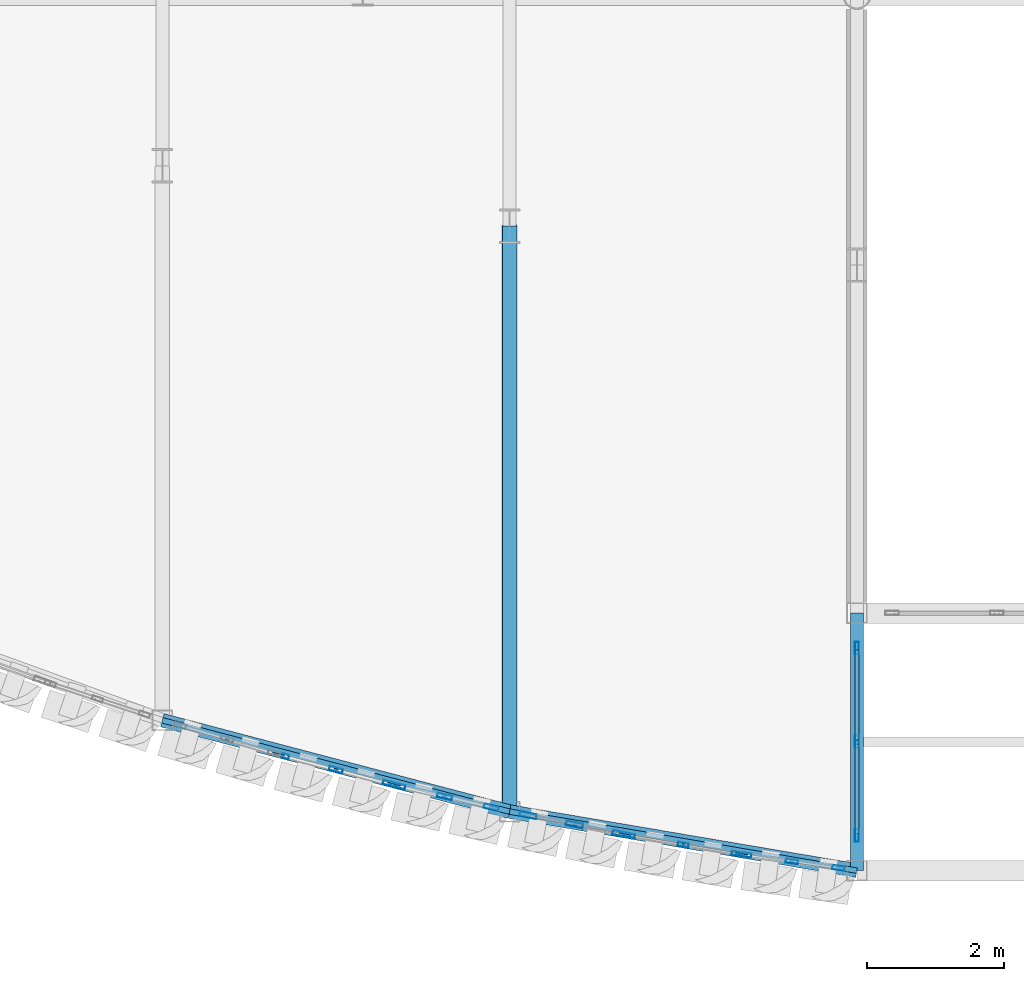
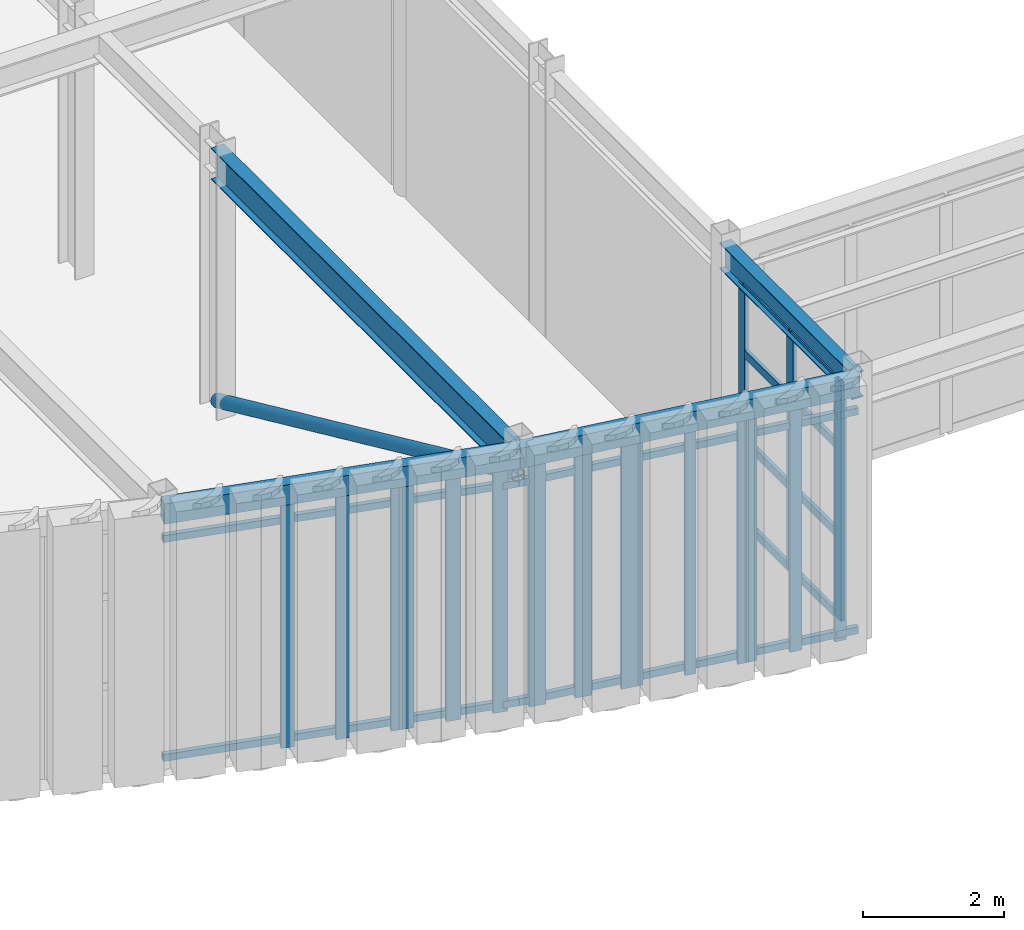
# One storey, part 40 of 121: 31 members, 4 beams, 6 elements without a shape of their own.
"""IFC4 building model written with IfcOpenShell, lengths in metres."""

from ifc_helpers import new_model, si_unit, direction, frame, origin, origin_2d, place, context, subcontext, project, spatial, hollow_rectangle, hollow_circle, i_section, extrude, material, layer, layer_set, material_profile, profile_set, type_object, element, aggregate, save


model = new_model("IFC4")

# Units and contexts
model_context = context("Model", 3, precision=1e-05, world=origin(), true_north=direction((0.0, 1.0)))
body_context = subcontext(model_context, "Body", "Model", "MODEL_VIEW")
ifc_project = project(units=[si_unit("LENGTHUNIT", "METRE"), si_unit("AREAUNIT", "SQUARE_METRE"), si_unit("VOLUMEUNIT", "CUBIC_METRE"), si_unit("PLANEANGLEUNIT", "RADIAN"), si_unit("MASSUNIT", "GRAM", prefix="KILO")], contexts=[model_context])

# Site, building, storey
site_placement = place(None, origin())
site = spatial("IfcSite", under=ifc_project, at=site_placement, CompositionType="ELEMENT")
building_placement = place(site_placement, origin())
building = spatial("IfcBuilding", under=site, at=building_placement, Name="Solvadek Multi-Sports Hall", CompositionType="ELEMENT")
storey_placement = place(building_placement, frame((0.0, 0.0, 4.800048828125)))
storey = spatial("IfcBuildingStorey", under=building, at=storey_placement, Name="L01", CompositionType="ELEMENT", Elevation=4.800048828125)

# Curtain wall, members
ifc_material_1 = material(Name="Anodised aluminium", Category="aluminium")
ifc_layer_1 = layer(ifc_material_1, 0.159912109375, Name="Anodised aluminium")
ifc_layer_set_1 = layer_set([ifc_layer_1], Name="Anodised aluminium")
curtain_wall_type_1 = type_object("IfcCurtainWallType", Name="ENV-CW-165X420", PredefinedType="USERDEFINED", material=ifc_layer_set_1)
curtain_wall_1_placement = place(storey_placement, origin())
curtain_wall_1 = element("IfcCurtainWall", 1, at=curtain_wall_1_placement, inside=storey, type_object=curtain_wall_type_1, Name="L01 Crescent Curved Curtain Wall #51", ObjectType="CURTAIN WALL", PredefinedType="USERDEFINED")
ifc_material_profile_1 = material_profile(ifc_material_1, hollow_rectangle(XDim=0.06005859375, YDim=0.159912109375, WallThickness=0.00390625, at=origin_2d()), Name="ALU-M 160x60x4")
ifc_profile_set_1 = profile_set([ifc_material_profile_1], Name="Anodised aluminium")
member_type_1 = type_object("IfcMemberType", Name="ENV-CWM-01", PredefinedType="MULLION", material=ifc_profile_set_1)
member_1_placement = place(storey_placement, frame((68.685546875, -12.241455078125, 0.0), z_axis=(0.0, 0.0, 1.0), x_axis=(0.167246953314, 0.985915035187, 0.0)))
member_1 = element("IfcMember", 2, at=member_1_placement, type_object=member_type_1, Name="CW-25 mullion 1", PredefinedType="MULLION", context=body_context, shape_type="SweptSolid", body=[
    extrude(hollow_rectangle(XDim=0.06005859375, YDim=0.159912109375, WallThickness=0.00390625, at=origin_2d()), origin(), (0.0, 0.0, 1.0), 4.199951171875),
])
member_2_placement = place(storey_placement, frame((69.4697265625, -12.37451171875, 0.0), z_axis=(0.0, 0.0, 1.0), x_axis=(0.167246953314, 0.985915035187, 0.0)))
member_2 = element("IfcMember", 3, at=member_2_placement, type_object=member_type_1, Name="CW-25 mullion 2", PredefinedType="MULLION", context=body_context, shape_type="SweptSolid", body=[
    extrude(hollow_rectangle(XDim=0.06005859375, YDim=0.159912109375, WallThickness=0.00390625, at=origin_2d()), origin(), (0.0, 0.0, 1.0), 4.199951171875),
])
member_3_placement = place(storey_placement, frame((70.25390625, -12.507568359375, 0.0), z_axis=(0.0, 0.0, 1.0), x_axis=(0.167246953314, 0.985915035187, 0.0)))
member_3 = element("IfcMember", 4, at=member_3_placement, type_object=member_type_1, Name="CW-25 mullion 3", PredefinedType="MULLION", context=body_context, shape_type="SweptSolid", body=[
    extrude(hollow_rectangle(XDim=0.06005859375, YDim=0.159912109375, WallThickness=0.00390625, at=origin_2d()), origin(), (0.0, 0.0, 1.0), 4.199951171875),
])
aggregate(curtain_wall_1, [member_1, member_2, member_3])

ifc_layer_2 = layer(ifc_material_1, 0.159912109375, Name="Anodised aluminium")
ifc_layer_set_2 = layer_set([ifc_layer_2], Name="Anodised aluminium")
curtain_wall_type_2 = type_object("IfcCurtainWallType", Name="ENV-CW-143X420", PredefinedType="USERDEFINED", material=ifc_layer_set_2)
curtain_wall_2_placement = place(storey_placement, origin())
curtain_wall_2 = element("IfcCurtainWall", 5, at=curtain_wall_2_placement, inside=storey, type_object=curtain_wall_type_2, Name="L01 Crescent Curved Curtain Wall #53", ObjectType="CURTAIN WALL", PredefinedType="USERDEFINED")
ifc_material_profile_2 = material_profile(ifc_material_1, hollow_rectangle(XDim=0.06005859375, YDim=0.179931640625, WallThickness=0.00390625, at=origin_2d()), Name="ALU-M 180x60x4")
ifc_profile_set_2 = profile_set([ifc_material_profile_2], Name="Anodised aluminium")
member_type_2 = type_object("IfcMemberType", Name="ENV-CWM-02", PredefinedType="MULLION", material=ifc_profile_set_2)
member_4_placement = place(storey_placement, frame((70.37255859375, -12.525634765625, 0.0), z_axis=(0.0, 0.0, 1.0), x_axis=(0.138216722642, 0.990402008066, 0.0)))
member_4 = element("IfcMember", 6, at=member_4_placement, type_object=member_type_2, Name="CW-26 mullion 1", PredefinedType="MULLION", context=body_context, shape_type="SweptSolid", body=[
    extrude(hollow_rectangle(XDim=0.06005859375, YDim=0.179931640625, WallThickness=0.00390625, at=origin_2d()), origin(), (0.0, 0.0, 1.0), 4.199951171875),
])
member_5_placement = place(storey_placement, frame((71.052490234375, -12.62060546875, 0.0), z_axis=(0.0, 0.0, 1.0), x_axis=(0.138216722642, 0.990402008066, 0.0)))
member_5 = element("IfcMember", 7, at=member_5_placement, type_object=member_type_2, Name="CW-26 mullion 2", PredefinedType="MULLION", context=body_context, shape_type="SweptSolid", body=[
    extrude(hollow_rectangle(XDim=0.06005859375, YDim=0.179931640625, WallThickness=0.00390625, at=origin_2d()), origin(), (0.0, 0.0, 1.0), 4.199951171875),
])
member_6_placement = place(storey_placement, frame((71.732666015625, -12.715576171875, 0.0), z_axis=(0.0, 0.0, 1.0), x_axis=(0.138216722642, 0.990402008066, 0.0)))
member_6 = element("IfcMember", 8, at=member_6_placement, type_object=member_type_2, Name="CW-26 mullion 3", PredefinedType="MULLION", context=body_context, shape_type="SweptSolid", body=[
    extrude(hollow_rectangle(XDim=0.06005859375, YDim=0.179931640625, WallThickness=0.00390625, at=origin_2d()), origin(), (0.0, 0.0, 1.0), 4.199951171875),
])
aggregate(curtain_wall_2, [member_4, member_5, member_6])

ifc_layer_3 = layer(ifc_material_1, 0.159912109375, Name="Anodised aluminium")
ifc_layer_set_3 = layer_set([ifc_layer_3], Name="Anodised aluminium")
curtain_wall_type_3 = type_object("IfcCurtainWallType", Name="ENV-CW-279X413", PredefinedType="USERDEFINED", material=ifc_layer_set_3)
curtain_wall_3_placement = place(storey_placement, origin())
curtain_wall_3 = element("IfcCurtainWall", 9, at=curtain_wall_3_placement, inside=storey, type_object=curtain_wall_type_3, Name="L01 Perimeter Bay Curtain Wall #120", ObjectType="CURTAIN WALL", PredefinedType="USERDEFINED")
member_7_placement = place(storey_placement, frame((72.0, -12.242919921875, 0.0), z_axis=(0.0, 0.0, 1.0), x_axis=(-1.0, 0.0, 0.0)))
member_7 = element("IfcMember", 10, at=member_7_placement, type_object=member_type_2, Name="CW-41 mullion 1", PredefinedType="MULLION", context=body_context, shape_type="SweptSolid", body=[
    extrude(hollow_rectangle(XDim=0.06005859375, YDim=0.179931640625, WallThickness=0.00390625, at=origin_2d()), origin(), (0.0, 0.0, 1.0), 4.125),
])
member_8_placement = place(storey_placement, frame((72.0, -10.87646484375, 0.0), z_axis=(0.0, 0.0, 1.0), x_axis=(-1.0, 0.0, 0.0)))
member_8 = element("IfcMember", 11, at=member_8_placement, type_object=member_type_2, Name="CW-41 mullion 2", PredefinedType="MULLION", context=body_context, shape_type="SweptSolid", body=[
    extrude(hollow_rectangle(XDim=0.06005859375, YDim=0.179931640625, WallThickness=0.00390625, at=origin_2d()), origin(), (0.0, 0.0, 1.0), 4.125),
])
member_9_placement = place(storey_placement, frame((72.0, -9.510009765625, 0.0), z_axis=(0.0, 0.0, 1.0), x_axis=(-1.0, 0.0, 0.0)))
member_9 = element("IfcMember", 12, at=member_9_placement, type_object=member_type_2, Name="CW-41 mullion 3", PredefinedType="MULLION", context=body_context, shape_type="SweptSolid", body=[
    extrude(hollow_rectangle(XDim=0.06005859375, YDim=0.179931640625, WallThickness=0.00390625, at=origin_2d()), origin(), (0.0, 0.0, 1.0), 4.125),
])

ifc_layer_4 = layer(ifc_material_1, 0.159912109375, Name="Anodised aluminium")
ifc_layer_set_4 = layer_set([ifc_layer_4], Name="Anodised aluminium")
curtain_wall_type_4 = type_object("IfcCurtainWallType", Name="ENV-CW-168X420", PredefinedType="USERDEFINED", material=ifc_layer_set_4)
curtain_wall_4_placement = place(storey_placement, origin())
curtain_wall_4 = element("IfcCurtainWall", 13, at=curtain_wall_4_placement, inside=storey, type_object=curtain_wall_type_4, Name="L01 Crescent Curved Curtain Wall #45", ObjectType="CURTAIN WALL", PredefinedType="USERDEFINED")
ifc_material_profile_3 = material_profile(ifc_material_1, hollow_rectangle(XDim=0.06494140625, YDim=0.199951171875, WallThickness=0.0048828125, at=origin_2d()), Name="ALU-M 200x65x5")
ifc_profile_set_3 = profile_set([ifc_material_profile_3], Name="Anodised aluminium")
member_type_3 = type_object("IfcMemberType", Name="ENV-CWM-03", PredefinedType="MULLION", material=ifc_profile_set_3)
member_10_placement = place(storey_placement, frame((63.626220703125, -11.07666015625, 0.0), z_axis=(0.0, 0.0, 1.0), x_axis=(0.254142545895, 0.967166772778, 0.0)))
member_10 = element("IfcMember", 14, at=member_10_placement, type_object=member_type_3, Name="CW-22 mullion 1", PredefinedType="MULLION", context=body_context, shape_type="SweptSolid", body=[
    extrude(hollow_rectangle(XDim=0.06494140625, YDim=0.199951171875, WallThickness=0.0048828125, at=origin_2d()), origin(), (0.0, 0.0, 1.0), 4.199951171875),
])
member_11_placement = place(storey_placement, frame((64.4091796875, -11.282470703125, 0.0), z_axis=(0.0, 0.0, 1.0), x_axis=(0.254142545895, 0.967166772778, 0.0)))
member_11 = element("IfcMember", 15, at=member_11_placement, type_object=member_type_3, Name="CW-22 mullion 2", PredefinedType="MULLION", context=body_context, shape_type="SweptSolid", body=[
    extrude(hollow_rectangle(XDim=0.06494140625, YDim=0.199951171875, WallThickness=0.0048828125, at=origin_2d()), origin(), (0.0, 0.0, 1.0), 4.199951171875),
])
member_12_placement = place(storey_placement, frame((65.192138671875, -11.488037109375, 0.0), z_axis=(0.0, 0.0, 1.0), x_axis=(0.254142545895, 0.967166772778, 0.0)))
member_12 = element("IfcMember", 16, at=member_12_placement, type_object=member_type_3, Name="CW-22 mullion 3", PredefinedType="MULLION", context=body_context, shape_type="SweptSolid", body=[
    extrude(hollow_rectangle(XDim=0.06494140625, YDim=0.199951171875, WallThickness=0.0048828125, at=origin_2d()), origin(), (0.0, 0.0, 1.0), 4.199951171875),
])
aggregate(curtain_wall_4, [member_10, member_11, member_12])

ifc_layer_5 = layer(ifc_material_1, 0.159912109375, Name="Anodised aluminium")
ifc_layer_set_5 = layer_set([ifc_layer_5], Name="Anodised aluminium")
curtain_wall_type_5 = type_object("IfcCurtainWallType", Name="ENV-CW-146X420", PredefinedType="USERDEFINED", material=ifc_layer_set_5)
curtain_wall_5_placement = place(storey_placement, origin())
curtain_wall_5 = element("IfcCurtainWall", 17, at=curtain_wall_5_placement, inside=storey, type_object=curtain_wall_type_5, Name="L01 Crescent Curved Curtain Wall #47", ObjectType="CURTAIN WALL", PredefinedType="USERDEFINED")
ifc_material_profile_4 = material_profile(ifc_material_1, hollow_rectangle(XDim=0.06494140625, YDim=0.219970703125, WallThickness=0.0048828125, at=origin_2d()), Name="ALU-M 220x65x5")
ifc_profile_set_4 = profile_set([ifc_material_profile_4], Name="Anodised aluminium")
member_type_4 = type_object("IfcMemberType", Name="ENV-CWM-04", PredefinedType="MULLION", material=ifc_profile_set_4)
member_13_placement = place(storey_placement, frame((65.3134765625, -11.51806640625, 0.0), z_axis=(0.0, 0.0, 1.0), x_axis=(0.225189321569, 0.974315025775, 0.0)))
member_13 = element("IfcMember", 18, at=member_13_placement, type_object=member_type_4, Name="CW-23 mullion 1", PredefinedType="MULLION", context=body_context, shape_type="SweptSolid", body=[
    extrude(hollow_rectangle(XDim=0.06494140625, YDim=0.219970703125, WallThickness=0.0048828125, at=origin_2d()), origin(), (0.0, 0.0, 1.0), 4.199951171875),
])
member_14_placement = place(storey_placement, frame((65.99365234375, -11.67529296875, 0.0), z_axis=(0.0, 0.0, 1.0), x_axis=(0.225189321569, 0.974315025775, 0.0)))
member_14 = element("IfcMember", 19, at=member_14_placement, type_object=member_type_4, Name="CW-23 mullion 2", PredefinedType="MULLION", context=body_context, shape_type="SweptSolid", body=[
    extrude(hollow_rectangle(XDim=0.06494140625, YDim=0.219970703125, WallThickness=0.0048828125, at=origin_2d()), origin(), (0.0, 0.0, 1.0), 4.199951171875),
])
member_15_placement = place(storey_placement, frame((66.673828125, -11.83251953125, 0.0), z_axis=(0.0, 0.0, 1.0), x_axis=(0.225189321569, 0.974315025775, 0.0)))
member_15 = element("IfcMember", 20, at=member_15_placement, type_object=member_type_4, Name="CW-23 mullion 3", PredefinedType="MULLION", context=body_context, shape_type="SweptSolid", body=[
    extrude(hollow_rectangle(XDim=0.06494140625, YDim=0.219970703125, WallThickness=0.0048828125, at=origin_2d()), origin(), (0.0, 0.0, 1.0), 4.199951171875),
])
aggregate(curtain_wall_5, [member_13, member_14, member_15])

ifc_layer_6 = layer(ifc_material_1, 0.159912109375, Name="Anodised aluminium")
ifc_layer_set_6 = layer_set([ifc_layer_6], Name="Anodised aluminium")
curtain_wall_type_6 = type_object("IfcCurtainWallType", Name="ENV-CW-145X420", PredefinedType="USERDEFINED", material=ifc_layer_set_6)
curtain_wall_6_placement = place(storey_placement, origin())
curtain_wall_6 = element("IfcCurtainWall", 21, at=curtain_wall_6_placement, inside=storey, type_object=curtain_wall_type_6, Name="L01 Crescent Curved Curtain Wall #49", ObjectType="CURTAIN WALL", PredefinedType="USERDEFINED")
ifc_material_profile_5 = material_profile(ifc_material_1, hollow_rectangle(XDim=0.070068359375, YDim=0.25, WallThickness=0.0048828125, at=origin_2d()), Name="ALU-M 250x70x5")
ifc_profile_set_5 = profile_set([ifc_material_profile_5], Name="Anodised aluminium")
member_type_5 = type_object("IfcMemberType", Name="ENV-CWM-05", PredefinedType="MULLION", material=ifc_profile_set_5)
member_16_placement = place(storey_placement, frame((67.208984375, -11.94775390625, 0.0), z_axis=(0.0, 0.0, 1.0), x_axis=(0.196155912432, 0.980572719393, 0.0)))
member_16 = element("IfcMember", 22, at=member_16_placement, type_object=member_type_5, Name="CW-24 mullion 1", PredefinedType="MULLION", context=body_context, shape_type="SweptSolid", body=[
    extrude(hollow_rectangle(XDim=0.070068359375, YDim=0.25, WallThickness=0.0048828125, at=origin_2d()), origin(), (0.0, 0.0, 1.0), 4.199951171875),
])
member_17_placement = place(storey_placement, frame((67.8857421875, -12.083251953125, 0.0), z_axis=(0.0, 0.0, 1.0), x_axis=(0.196155912432, 0.980572719393, 0.0)))
member_17 = element("IfcMember", 23, at=member_17_placement, type_object=member_type_5, Name="CW-24 mullion 2", PredefinedType="MULLION", context=body_context, shape_type="SweptSolid", body=[
    extrude(hollow_rectangle(XDim=0.070068359375, YDim=0.25, WallThickness=0.0048828125, at=origin_2d()), origin(), (0.0, 0.0, 1.0), 4.199951171875),
])
member_18_placement = place(storey_placement, frame((68.5625, -12.21875, 0.0), z_axis=(0.0, 0.0, 1.0), x_axis=(0.196155912432, 0.980572719393, 0.0)))
member_18 = element("IfcMember", 24, at=member_18_placement, type_object=member_type_5, Name="CW-24 mullion 3", PredefinedType="MULLION", context=body_context, shape_type="SweptSolid", body=[
    extrude(hollow_rectangle(XDim=0.070068359375, YDim=0.25, WallThickness=0.0048828125, at=origin_2d()), origin(), (0.0, 0.0, 1.0), 4.199951171875),
])
aggregate(curtain_wall_6, [member_16, member_17, member_18])

# Member
ifc_material_profile_6 = material_profile(ifc_material_1, hollow_rectangle(XDim=0.06005859375, YDim=0.139892578125, WallThickness=0.00390625, at=origin_2d()), Name="ALU-T 140x60x4")
ifc_profile_set_6 = profile_set([ifc_material_profile_6], Name="Anodised aluminium")
member_type_6 = type_object("IfcMemberType", Name="ENV-CWT-02", PredefinedType="USERDEFINED", material=ifc_profile_set_6)
member_19_placement = place(storey_placement, frame((72.0, -12.212890625, 0.030029296875), z_axis=(0.0, 1.0, 0.0), x_axis=(-1.0, 0.0, 0.0)))
member_19 = element("IfcMember", 25, at=member_19_placement, type_object=member_type_6, Name="CW-41 transom 1.1", ObjectType="TRANSOM", PredefinedType="USERDEFINED", context=body_context, shape_type="SweptSolid", body=[
    extrude(hollow_rectangle(XDim=0.06005859375, YDim=0.139892578125, WallThickness=0.00390625, at=origin_2d()), origin(), (0.0, 0.0, 1.0), 1.306396484375),
])

member_20_placement = place(storey_placement, frame((72.0, -12.212890625, 1.44384765625), z_axis=(0.0, 1.0, 0.0), x_axis=(-1.0, 0.0, 0.0)))
member_20 = element("IfcMember", 26, at=member_20_placement, type_object=member_type_6, Name="CW-41 transom 1.2", ObjectType="TRANSOM", PredefinedType="USERDEFINED", context=body_context, shape_type="SweptSolid", body=[
    extrude(hollow_rectangle(XDim=0.06005859375, YDim=0.139892578125, WallThickness=0.00390625, at=origin_2d()), origin(), (0.0, 0.0, 1.0), 1.306396484375),
])

member_21_placement = place(storey_placement, frame((72.0, -12.212890625, 2.969970703125), z_axis=(0.0, 1.0, 0.0), x_axis=(-1.0, 0.0, 0.0)))
member_21 = element("IfcMember", 27, at=member_21_placement, type_object=member_type_6, Name="CW-41 transom 1.3", ObjectType="TRANSOM", PredefinedType="USERDEFINED", context=body_context, shape_type="SweptSolid", body=[
    extrude(hollow_rectangle(XDim=0.06005859375, YDim=0.139892578125, WallThickness=0.00390625, at=origin_2d()), origin(), (0.0, 0.0, 1.0), 1.306396484375),
])

member_22_placement = place(storey_placement, frame((72.0, -12.212890625, 4.094970703125), z_axis=(0.0, 1.0, 0.0), x_axis=(-1.0, 0.0, 0.0)))
member_22 = element("IfcMember", 28, at=member_22_placement, type_object=member_type_6, Name="CW-41 transom 1.4", ObjectType="TRANSOM", PredefinedType="USERDEFINED", context=body_context, shape_type="SweptSolid", body=[
    extrude(hollow_rectangle(XDim=0.06005859375, YDim=0.139892578125, WallThickness=0.00390625, at=origin_2d()), origin(), (0.0, 0.0, 1.0), 1.306396484375),
])

member_23_placement = place(storey_placement, frame((72.0, -10.846435546875, 0.030029296875), z_axis=(0.0, 1.0, 0.0), x_axis=(-1.0, 0.0, 0.0)))
member_23 = element("IfcMember", 29, at=member_23_placement, type_object=member_type_6, Name="CW-41 transom 2.1", ObjectType="TRANSOM", PredefinedType="USERDEFINED", context=body_context, shape_type="SweptSolid", body=[
    extrude(hollow_rectangle(XDim=0.06005859375, YDim=0.139892578125, WallThickness=0.00390625, at=origin_2d()), origin(), (0.0, 0.0, 1.0), 1.306396484375),
])

member_24_placement = place(storey_placement, frame((72.0, -10.846435546875, 1.44384765625), z_axis=(0.0, 1.0, 0.0), x_axis=(-1.0, 0.0, 0.0)))
member_24 = element("IfcMember", 30, at=member_24_placement, type_object=member_type_6, Name="CW-41 transom 2.2", ObjectType="TRANSOM", PredefinedType="USERDEFINED", context=body_context, shape_type="SweptSolid", body=[
    extrude(hollow_rectangle(XDim=0.06005859375, YDim=0.139892578125, WallThickness=0.00390625, at=origin_2d()), origin(), (0.0, 0.0, 1.0), 1.306396484375),
])

member_25_placement = place(storey_placement, frame((72.0, -10.846435546875, 2.969970703125), z_axis=(0.0, 1.0, 0.0), x_axis=(-1.0, 0.0, 0.0)))
member_25 = element("IfcMember", 31, at=member_25_placement, type_object=member_type_6, Name="CW-41 transom 2.3", ObjectType="TRANSOM", PredefinedType="USERDEFINED", context=body_context, shape_type="SweptSolid", body=[
    extrude(hollow_rectangle(XDim=0.06005859375, YDim=0.139892578125, WallThickness=0.00390625, at=origin_2d()), origin(), (0.0, 0.0, 1.0), 1.306396484375),
])

member_26_placement = place(storey_placement, frame((72.0, -10.846435546875, 4.094970703125), z_axis=(0.0, 1.0, 0.0), x_axis=(-1.0, 0.0, 0.0)))
member_26 = element("IfcMember", 32, at=member_26_placement, type_object=member_type_6, Name="CW-41 transom 2.4", ObjectType="TRANSOM", PredefinedType="USERDEFINED", context=body_context, shape_type="SweptSolid", body=[
    extrude(hollow_rectangle(XDim=0.06005859375, YDim=0.139892578125, WallThickness=0.00390625, at=origin_2d()), origin(), (0.0, 0.0, 1.0), 1.306396484375),
])

aggregate(curtain_wall_3, [member_7, member_8, member_9, member_19, member_20, member_21, member_22, member_23, member_24, member_25, member_26])

# Beams
ifc_material_2 = material(Name="Steel E350 (350 MPa)", Category="steel")
ifc_material_profile_7 = material_profile(ifc_material_2, i_section(OverallWidth=0.18994140625, OverallDepth=0.449951171875, WebThickness=0.009521484375, FlangeThickness=0.0146484375, at=origin_2d()), Name="NPB 450")
ifc_profile_set_7 = profile_set([ifc_material_profile_7], Name="Steel E350 (350 MPa)")
beam_type_1 = type_object("IfcBeamType", Name="STR-BM-NPB450", PredefinedType="BEAM", material=ifc_profile_set_7)
beam_1_placement = place(storey_placement, frame((72.0, -12.7529296875, 4.3349609375), z_axis=(0.0, 1.0, 0.0), x_axis=(-1.0, 0.0, 0.0)))
element("IfcBeam", 33, at=beam_1_placement, inside=storey, type_object=beam_type_1, Name="L01 Girder B-08 #1244", PredefinedType="BEAM", context=body_context, shape_type="SweptSolid", body=[
    extrude(i_section(OverallWidth=0.18994140625, OverallDepth=0.449951171875, WebThickness=0.009521484375, FlangeThickness=0.0146484375, at=origin_2d()), origin(), (0.0, 0.0, 1.0), 3.7529296875),
])
ifc_material_profile_8 = material_profile(ifc_material_2, i_section(OverallWidth=0.2099609375, OverallDepth=0.550048828125, WebThickness=0.010986328125, FlangeThickness=0.01708984375, at=origin_2d()), Name="NPB 550")
ifc_profile_set_8 = profile_set([ifc_material_profile_8], Name="Steel E350 (350 MPa)")
beam_type_2 = type_object("IfcBeamType", Name="STR-BM-NPB550", PredefinedType="BEAM", material=ifc_profile_set_8)
beam_2_placement = place(storey_placement, frame((66.939453125, -11.893798828125, 4.284912109375), z_axis=(0.0, 1.0, 0.0), x_axis=(-1.0, 0.0, 0.0)))
element("IfcBeam", 34, at=beam_2_placement, inside=storey, type_object=beam_type_2, Name="L01 Girder B-05 #1241", PredefinedType="BEAM", context=body_context, shape_type="SweptSolid", body=[
    extrude(i_section(OverallWidth=0.2099609375, OverallDepth=0.550048828125, WebThickness=0.010986328125, FlangeThickness=0.01708984375, at=origin_2d()), origin(), (0.0, 0.0, 1.0), 8.53173828125),
])

# Member
ifc_material_profile_9 = material_profile(ifc_material_2, hollow_circle(Radius=0.109619140625, WallThickness=0.010009765625, at=origin_2d()), Name="CHS 219.1x10")
ifc_profile_set_9 = profile_set([ifc_material_profile_9], Name="Steel E350 (350 MPa)")
member_type_7 = type_object("IfcMemberType", Name="STR-BRC-CHS219", PredefinedType="BRACE", material=ifc_profile_set_9)
member_27_placement = place(storey_placement, frame((66.939453125, -3.362060546875, 0.14990234375), z_axis=(0.0, -0.909477568363, 0.415752994752), x_axis=(1.0, 0.0, 0.0)))
element("IfcMember", 35, at=member_27_placement, inside=storey, type_object=member_type_7, Name="L01 Crescent Radial Truss Diagonal #3", PredefinedType="BRACE", context=body_context, shape_type="SweptSolid", body=[
    extrude(hollow_circle(Radius=0.109619140625, WallThickness=0.010009765625, at=origin_2d()), origin(), (0.0, 0.0, 1.0), 9.380859375),
])

# Beams
ifc_material_profile_10 = material_profile(ifc_material_2, hollow_rectangle(XDim=0.199951171875, YDim=0.35009765625, WallThickness=0.011962890625, at=origin_2d()), Name="RHS 350x200x12")
ifc_profile_set_10 = profile_set([ifc_material_profile_10], Name="Steel E350 (350 MPa)")
beam_type_3 = type_object("IfcBeamType", Name="STR-SPN-RHS350", PredefinedType="SPANDREL", material=ifc_profile_set_10)
beam_3_placement = place(storey_placement, frame((61.87890625, -10.562744140625, 4.385009765625), z_axis=(0.967105956873, -0.254373874801, 0.0), x_axis=(0.254373874801, 0.967105956873, 0.0)))
element("IfcBeam", 36, at=beam_3_placement, inside=storey, type_object=beam_type_3, Name="L01 Curved Crescent Spandrel #46", PredefinedType="SPANDREL", context=body_context, shape_type="SweptSolid", body=[
    extrude(hollow_rectangle(XDim=0.199951171875, YDim=0.35009765625, WallThickness=0.011962890625, at=origin_2d()), origin(), (0.0, 0.0, 1.0), 5.232666015625),
])
beam_4_placement = place(storey_placement, frame((66.939453125, -11.893798828125, 4.385009765625), z_axis=(0.985893229312, -0.167375447412, 0.0), x_axis=(0.167375447412, 0.985893229312, 0.0)))
element("IfcBeam", 37, at=beam_4_placement, inside=storey, type_object=beam_type_3, Name="L01 Curved Crescent Spandrel #47", PredefinedType="SPANDREL", context=body_context, shape_type="SweptSolid", body=[
    extrude(hollow_rectangle(XDim=0.199951171875, YDim=0.35009765625, WallThickness=0.011962890625, at=origin_2d()), origin(), (0.0, 0.0, 1.0), 5.133056640625),
])

# Members
ifc_material_3 = material(Name="Steel E250 (250 MPa)", Category="steel")
ifc_material_profile_11 = material_profile(ifc_material_3, hollow_rectangle(XDim=0.080078125, YDim=0.1201171875, WallThickness=0.006103515625, at=origin_2d()), Name="RHS 120x80x6")
ifc_profile_set_11 = profile_set([ifc_material_profile_11], Name="Steel E250 (250 MPa)")
member_type_8 = type_object("IfcMemberType", Name="STR-STD-RHS120", PredefinedType="STUD", material=ifc_profile_set_11)
for number, where, z_axis, x_axis, name in (
    (38, (61.87890625, -10.562744140625, 0.119873046875), (0.967105956873, -0.254373874801, 0.0), (0.254373874801, 0.967105956873, 0.0), "L01 Flute Subframe Rail W-8 bot"),
    (39, (61.87890625, -10.562744140625, 3.909912109375), (0.967105956873, -0.254373874801, 0.0), (0.254373874801, 0.967105956873, 0.0), "L01 Flute Subframe Rail W-8 top"),
):
    element("IfcMember", number, at=place(storey_placement, frame(where, z_axis=z_axis, x_axis=x_axis)), inside=storey, type_object=member_type_8, Name=name, PredefinedType="STUD", context=body_context, shape_type="SweptSolid", body=[
        extrude(hollow_rectangle(XDim=0.080078125, YDim=0.1201171875, WallThickness=0.006103515625, at=origin_2d()), origin(), (0.0, 0.0, 1.0), 5.232666015625),
    ])
for number, where, z_axis, x_axis, name in (
    (40, (66.939453125, -11.893798828125, 0.119873046875), (0.985893229312, -0.167375447412, 0.0), (0.167375447412, 0.985893229312, 0.0), "L01 Flute Subframe Rail W-9 bot"),
    (41, (66.939453125, -11.893798828125, 3.909912109375), (0.985893229312, -0.167375447412, 0.0), (0.167375447412, 0.985893229312, 0.0), "L01 Flute Subframe Rail W-9 top"),
):
    element("IfcMember", number, at=place(storey_placement, frame(where, z_axis=z_axis, x_axis=x_axis)), inside=storey, type_object=member_type_8, Name=name, PredefinedType="STUD", context=body_context, shape_type="SweptSolid", body=[
        extrude(hollow_rectangle(XDim=0.080078125, YDim=0.1201171875, WallThickness=0.006103515625, at=origin_2d()), origin(), (0.0, 0.0, 1.0), 5.133056640625),
    ])

save(model, "model.ifc")
